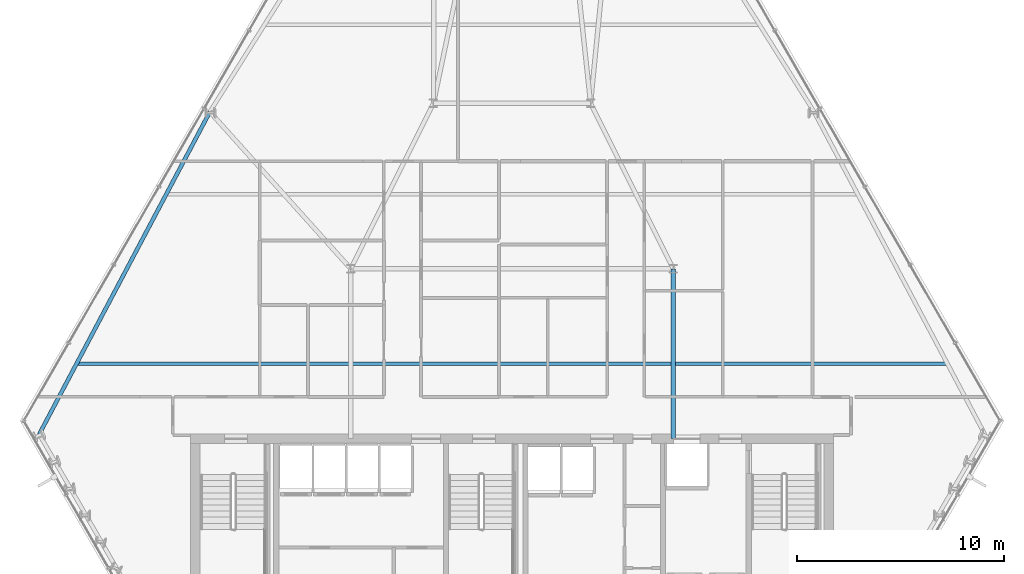
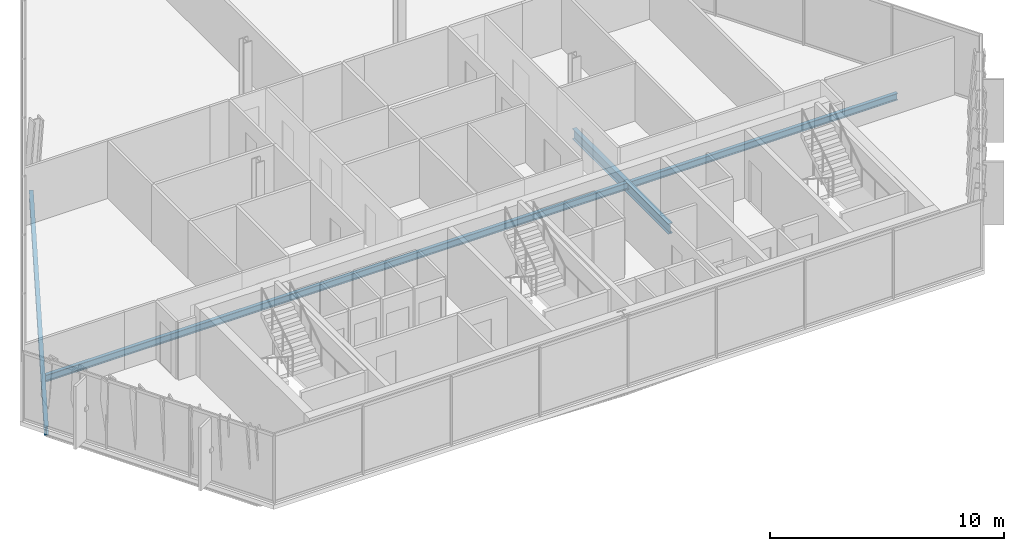
# One storey, part 10 of 32: 3 beams.
"""IFC4 building model written with IfcOpenShell, lengths in metres."""

from ifc_helpers import new_model, si_unit, direction, frame, origin, origin_2d, place, context, subcontext, project, spatial, i_section, extrude, material, material_profile, profile_set, type_object, element, save


model = new_model("IFC4")

# Units and contexts
model_context = context("Model", 3, precision=1e-05, world=origin(), true_north=direction((0.0, 1.0)))
body_context = subcontext(model_context, "Body", "Model", "MODEL_VIEW")
ifc_project = project(units=[si_unit("LENGTHUNIT", "METRE"), si_unit("AREAUNIT", "SQUARE_METRE"), si_unit("VOLUMEUNIT", "CUBIC_METRE"), si_unit("PLANEANGLEUNIT", "RADIAN"), si_unit("MASSUNIT", "GRAM", prefix="KILO")], contexts=[model_context])

# Site, building, storey
site_placement = place(None, origin())
site = spatial("IfcSite", under=ifc_project, at=site_placement, CompositionType="ELEMENT")
building_placement = place(site_placement, origin())
building = spatial("IfcBuilding", under=site, at=building_placement, Name="Ndaravel Arena Tower", CompositionType="ELEMENT")
storey_placement = place(building_placement, frame((0.0, 0.0, 134.60009765625)))
storey = spatial("IfcBuildingStorey", under=building, at=storey_placement, Name="L31", CompositionType="ELEMENT", Elevation=134.60009765625)

# Beams
ifc_material_1 = material(Name="Steel S355", Category="steel")
ifc_material_profile_1 = material_profile(ifc_material_1, i_section(OverallWidth=0.210693359375, OverallDepth=0.53955078125, WebThickness=0.01171875, FlangeThickness=0.018798828125, FilletRadius=0.0126953125, at=origin_2d()), Name="UB 533x210x109")
ifc_profile_set_1 = profile_set([ifc_material_profile_1], Name="Steel S355")
beam_type_1 = type_object("IfcBeamType", Name="BM-GIRD-UB533", PredefinedType="BEAM", material=ifc_profile_set_1)
beam_1_placement = place(storey_placement, frame((49.800048828125, 14.97998046875, -0.48974609375), z_axis=(0.0, 1.0, 0.0), x_axis=(-1.0, 0.0, 0.0)))
element("IfcBeam", 1, at=beam_1_placement, inside=storey, type_object=beam_type_1, Name="L31 Spine Link Girder SLG-02", PredefinedType="BEAM", context=body_context, shape_type="SweptSolid", body=[
    extrude(i_section(OverallWidth=0.210693359375, OverallDepth=0.53955078125, WebThickness=0.01171875, FlangeThickness=0.018798828125, FilletRadius=0.0126953125, at=origin_2d()), origin(), (0.0, 0.0, 1.0), 8.219970703125),
])
ifc_material_2 = material(Name="Steel S355", Category="steel")
ifc_material_profile_2 = material_profile(ifc_material_2, i_section(OverallWidth=0.172119140625, OverallDepth=0.35791015625, WebThickness=0.008056640625, FlangeThickness=0.012939453125, FilletRadius=0.01025390625, at=origin_2d()), Name="UB 356x171x57")
ifc_profile_set_2 = profile_set([ifc_material_profile_2], Name="Steel S355")
beam_type_2 = type_object("IfcBeamType", Name="BM-JOIST-UB356", PredefinedType="JOIST", material=ifc_profile_set_2)
beam_2_placement = place(storey_placement, frame((20.935546875, 18.60009765625, -0.399169921875), z_axis=(1.0, 0.0, 0.0), x_axis=(0.0, 1.0, 0.0)))
element("IfcBeam", 2, at=beam_2_placement, inside=storey, type_object=beam_type_2, Name="L31 Composite Floor Joist FJ-01", PredefinedType="JOIST", context=body_context, shape_type="SweptSolid", body=[
    extrude(i_section(OverallWidth=0.172119140625, OverallDepth=0.35791015625, WebThickness=0.008056640625, FlangeThickness=0.012939453125, FilletRadius=0.01025390625, at=origin_2d()), origin(), (0.0, 0.0, 1.0), 42.12890625),
])
ifc_material_3 = material(Name="Steel S355", Category="steel")
ifc_material_profile_3 = material_profile(ifc_material_3, i_section(OverallWidth=0.18994140625, OverallDepth=0.449951171875, WebThickness=0.009521484375, FlangeThickness=0.0146484375, FilletRadius=0.02099609375, at=origin_2d()), Name="IPE 450")
ifc_profile_set_3 = profile_set([ifc_material_profile_3], Name="Steel S355")
beam_type_3 = type_object("IfcBeamType", Name="BM-SPAN-IPE450", PredefinedType="SPANDREL", material=ifc_profile_set_3)
beam_3_placement = place(storey_placement, frame((27.38818359375, 30.78857421875, -0.445068359375), z_axis=(-0.467885177622, -0.883789262529, 0.0), x_axis=(0.883789262529, -0.467885177622, 0.0)))
element("IfcBeam", 3, at=beam_3_placement, inside=storey, type_object=beam_type_3, Name="L31 Perimeter Spandrel Beam SP-19", PredefinedType="SPANDREL", context=body_context, shape_type="SweptSolid", body=[
    extrude(i_section(OverallWidth=0.18994140625, OverallDepth=0.449951171875, WebThickness=0.009521484375, FlangeThickness=0.0146484375, FilletRadius=0.02099609375, at=origin_2d()), origin(), (0.0, 0.0, 1.0), 17.6455078125),
])

save(model, "model.ifc")
